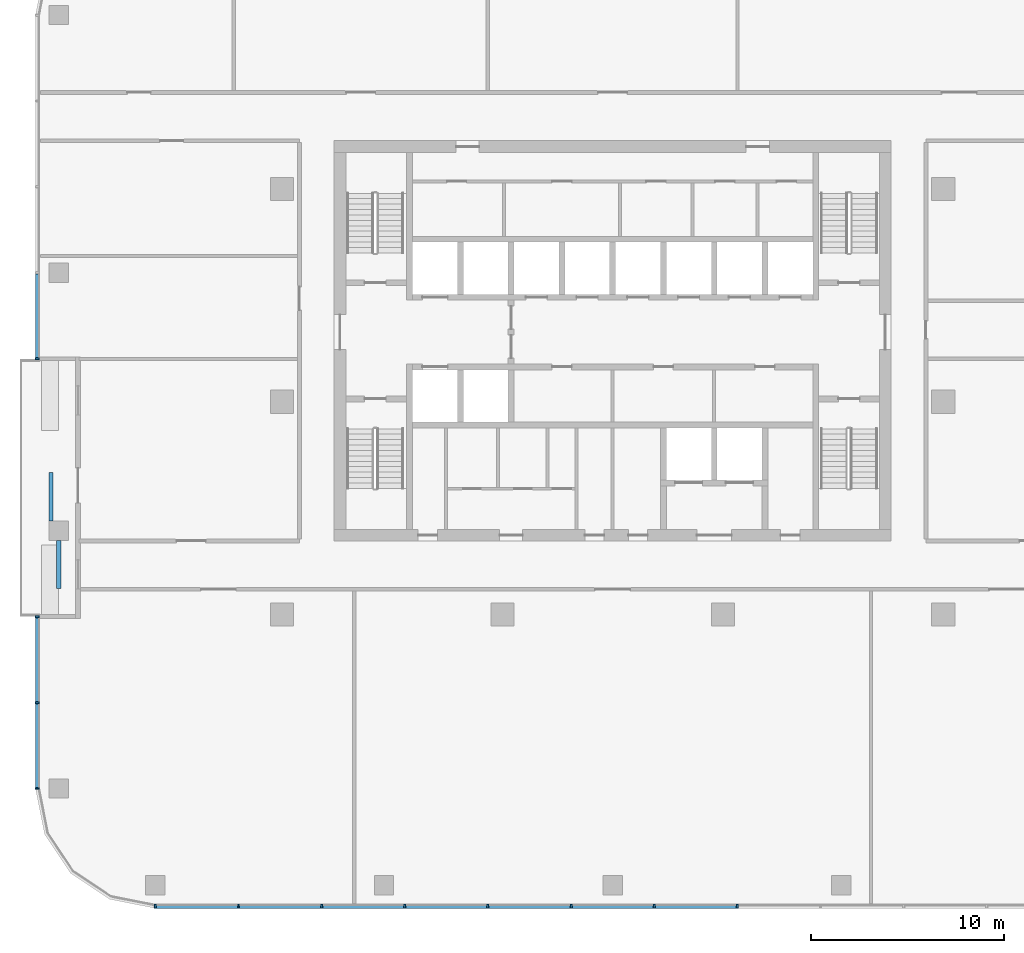
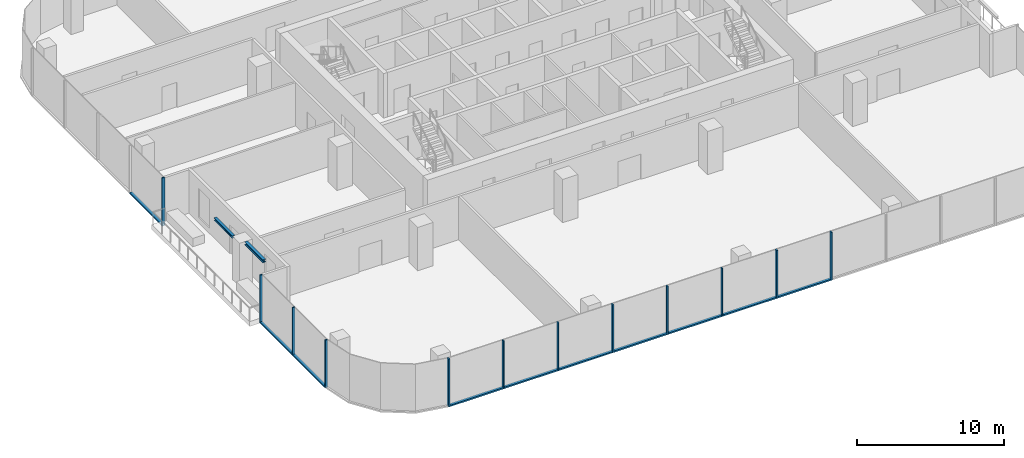
# One storey, part 2 of 13: 22 members, 2 beams, 3 elements without a shape of their own.
"""IFC4 building model written with IfcOpenShell, lengths in metres."""

from ifc_helpers import new_model, si_unit, direction, frame, origin, origin_2d, place, context, subcontext, project, spatial, rectangle, i_section, extrude, material, material_profile, profile_set, type_object, element, aggregate, save


model = new_model("IFC4")

# Units and contexts
model_context = context("Model", 3, precision=1e-05, world=origin(), true_north=direction((0.0, 1.0)))
body_context = subcontext(model_context, "Body", "Model", "MODEL_VIEW")
ifc_project = project(units=[si_unit("LENGTHUNIT", "METRE"), si_unit("AREAUNIT", "SQUARE_METRE"), si_unit("VOLUMEUNIT", "CUBIC_METRE"), si_unit("PLANEANGLEUNIT", "RADIAN"), si_unit("MASSUNIT", "GRAM", prefix="KILO")], contexts=[model_context])

# Site, building, storey
site_placement = place(None, origin())
site = spatial("IfcSite", under=ifc_project, at=site_placement, CompositionType="ELEMENT")
building_placement = place(site_placement, origin())
building = spatial("IfcBuilding", under=site, at=building_placement, Name="Mopane Tessera Tower", CompositionType="ELEMENT")
storey_placement = place(building_placement, frame((0.0, 0.0, 271.39990234375)))
storey = spatial("IfcBuildingStorey", under=building, at=storey_placement, Name="L58", CompositionType="ELEMENT", Elevation=271.39990234375)

# Curtain wall, members
ifc_material_1 = material(Name="Aluminium frame", Category="aluminium")
curtain_wall_type = type_object("IfcCurtainWallType", Name="Unitised curtain wall", PredefinedType="NOTDEFINED", material=ifc_material_1)
curtain_wall_1_placement = place(storey_placement, origin())
curtain_wall_1 = element("IfcCurtainWall", 1, at=curtain_wall_1_placement, inside=storey, type_object=curtain_wall_type, Name="e:cw:L58:S:0", PredefinedType="NOTDEFINED")
ifc_material_2 = material(Name="Aluminium frame", Category="aluminium")
ifc_material_profile_1 = material_profile(ifc_material_2, rectangle(XDim=0.10009765625, YDim=0.199951171875, at=origin_2d()))
ifc_profile_set_1 = profile_set([ifc_material_profile_1], Name="Aluminium frame")
member_type_1 = type_object("IfcMemberType", Name="Aluminium mullion 100 x 200", PredefinedType="MULLION", material=ifc_profile_set_1)
member_1_placement = place(storey_placement, frame((-23.64990234375, -26.10009765625, -0.39990234375), z_axis=(0.0, 0.0, 1.0), x_axis=(1.0, 0.0, 0.0)))
member_1 = element("IfcMember", 2, at=member_1_placement, type_object=member_type_1, Name="e:cw:L58:S:0:mu0", PredefinedType="MULLION", context=body_context, shape_type="SweptSolid", body=[
    extrude(rectangle(XDim=0.10009765625, YDim=0.199951171875, at=origin_2d()), origin(), (0.0, 0.0, 1.0), 4.0),
])
member_2_placement = place(storey_placement, frame((-19.35009765625, -26.10009765625, -0.39990234375), z_axis=(0.0, 0.0, 1.0), x_axis=(1.0, 0.0, 0.0)))
member_2 = element("IfcMember", 3, at=member_2_placement, type_object=member_type_1, Name="e:cw:L58:S:0:mu1", PredefinedType="MULLION", context=body_context, shape_type="SweptSolid", body=[
    extrude(rectangle(XDim=0.10009765625, YDim=0.199951171875, at=origin_2d()), origin(), (0.0, 0.0, 1.0), 4.0),
])
member_3_placement = place(storey_placement, frame((-15.050048828125, -26.10009765625, -0.39990234375), z_axis=(0.0, 0.0, 1.0), x_axis=(1.0, 0.0, 0.0)))
member_3 = element("IfcMember", 4, at=member_3_placement, type_object=member_type_1, Name="e:cw:L58:S:0:mu2", PredefinedType="MULLION", context=body_context, shape_type="SweptSolid", body=[
    extrude(rectangle(XDim=0.10009765625, YDim=0.199951171875, at=origin_2d()), origin(), (0.0, 0.0, 1.0), 4.0),
])
member_4_placement = place(storey_placement, frame((-10.75, -26.10009765625, -0.39990234375), z_axis=(0.0, 0.0, 1.0), x_axis=(1.0, 0.0, 0.0)))
member_4 = element("IfcMember", 5, at=member_4_placement, type_object=member_type_1, Name="e:cw:L58:S:0:mu3", PredefinedType="MULLION", context=body_context, shape_type="SweptSolid", body=[
    extrude(rectangle(XDim=0.10009765625, YDim=0.199951171875, at=origin_2d()), origin(), (0.0, 0.0, 1.0), 4.0),
])
member_5_placement = place(storey_placement, frame((-6.449951171875, -26.10009765625, -0.39990234375), z_axis=(0.0, 0.0, 1.0), x_axis=(1.0, 0.0, 0.0)))
member_5 = element("IfcMember", 6, at=member_5_placement, type_object=member_type_1, Name="e:cw:L58:S:0:mu4", PredefinedType="MULLION", context=body_context, shape_type="SweptSolid", body=[
    extrude(rectangle(XDim=0.10009765625, YDim=0.199951171875, at=origin_2d()), origin(), (0.0, 0.0, 1.0), 4.0),
])
member_6_placement = place(storey_placement, frame((-2.14990234375, -26.10009765625, -0.39990234375), z_axis=(0.0, 0.0, 1.0), x_axis=(1.0, 0.0, 0.0)))
member_6 = element("IfcMember", 7, at=member_6_placement, type_object=member_type_1, Name="e:cw:L58:S:0:mu5", PredefinedType="MULLION", context=body_context, shape_type="SweptSolid", body=[
    extrude(rectangle(XDim=0.10009765625, YDim=0.199951171875, at=origin_2d()), origin(), (0.0, 0.0, 1.0), 4.0),
])
member_7_placement = place(storey_placement, frame((2.14990234375, -26.10009765625, -0.39990234375), z_axis=(0.0, 0.0, 1.0), x_axis=(1.0, 0.0, 0.0)))
member_7 = element("IfcMember", 8, at=member_7_placement, type_object=member_type_1, Name="e:cw:L58:S:0:mu6", PredefinedType="MULLION", context=body_context, shape_type="SweptSolid", body=[
    extrude(rectangle(XDim=0.10009765625, YDim=0.199951171875, at=origin_2d()), origin(), (0.0, 0.0, 1.0), 4.0),
])
member_8_placement = place(storey_placement, frame((6.449951171875, -26.10009765625, -0.39990234375), z_axis=(0.0, 0.0, 1.0), x_axis=(1.0, 0.0, 0.0)))
member_8 = element("IfcMember", 9, at=member_8_placement, type_object=member_type_1, Name="e:cw:L58:S:0:mu7", PredefinedType="MULLION", context=body_context, shape_type="SweptSolid", body=[
    extrude(rectangle(XDim=0.10009765625, YDim=0.199951171875, at=origin_2d()), origin(), (0.0, 0.0, 1.0), 4.0),
])

# Curtain wall, member
curtain_wall_2_placement = place(storey_placement, origin())
curtain_wall_2 = element("IfcCurtainWall", 10, at=curtain_wall_2_placement, inside=storey, type_object=curtain_wall_type, Name="e:cw:L58:W:0", PredefinedType="NOTDEFINED")
member_9_placement = place(storey_placement, frame((-29.75, 2.22216796875, -0.39990234375), z_axis=(0.0, 0.0, 1.0), x_axis=(0.0, -1.0, 0.0)))
member_9 = element("IfcMember", 11, at=member_9_placement, type_object=member_type_1, Name="e:cw:L58:W:0:mu4", PredefinedType="MULLION", context=body_context, shape_type="SweptSolid", body=[
    extrude(rectangle(XDim=0.10009765625, YDim=0.199951171875, at=origin_2d()), origin(), (0.0, 0.0, 1.0), 4.0),
])

# Curtain wall, members
curtain_wall_3_placement = place(storey_placement, origin())
curtain_wall_3 = element("IfcCurtainWall", 12, at=curtain_wall_3_placement, inside=storey, type_object=curtain_wall_type, Name="e:cw:L58:W:7", PredefinedType="NOTDEFINED")
member_10_placement = place(storey_placement, frame((-29.75, -11.111083984375, -0.39990234375), z_axis=(0.0, 0.0, 1.0), x_axis=(0.0, -1.0, 0.0)))
member_10 = element("IfcMember", 13, at=member_10_placement, type_object=member_type_1, Name="e:cw:L58:W:7:mu7", PredefinedType="MULLION", context=body_context, shape_type="SweptSolid", body=[
    extrude(rectangle(XDim=0.10009765625, YDim=0.199951171875, at=origin_2d()), origin(), (0.0, 0.0, 1.0), 4.0),
])
member_11_placement = place(storey_placement, frame((-29.75, -15.5556640625, -0.39990234375), z_axis=(0.0, 0.0, 1.0), x_axis=(0.0, -1.0, 0.0)))
member_11 = element("IfcMember", 14, at=member_11_placement, type_object=member_type_1, Name="e:cw:L58:W:7:mu8", PredefinedType="MULLION", context=body_context, shape_type="SweptSolid", body=[
    extrude(rectangle(XDim=0.10009765625, YDim=0.199951171875, at=origin_2d()), origin(), (0.0, 0.0, 1.0), 4.0),
])
member_12_placement = place(storey_placement, frame((-29.75, -20.0, -0.39990234375), z_axis=(0.0, 0.0, 1.0), x_axis=(0.0, -1.0, 0.0)))
member_12 = element("IfcMember", 15, at=member_12_placement, type_object=member_type_1, Name="e:cw:L58:W:7:mu9", PredefinedType="MULLION", context=body_context, shape_type="SweptSolid", body=[
    extrude(rectangle(XDim=0.10009765625, YDim=0.199951171875, at=origin_2d()), origin(), (0.0, 0.0, 1.0), 4.0),
])

# Member
ifc_material_3 = material(Name="Aluminium frame", Category="aluminium")
ifc_material_profile_2 = material_profile(ifc_material_3, rectangle(XDim=0.199951171875, YDim=0.1201171875, at=origin_2d()))
ifc_profile_set_2 = profile_set([ifc_material_profile_2], Name="Aluminium frame")
member_type_2 = type_object("IfcMemberType", Name="Aluminium transom 200 x 120", PredefinedType="USERDEFINED", material=ifc_profile_set_2)
member_13_placement = place(storey_placement, frame((-23.60009765625, -26.10009765625, -0.33984375), z_axis=(1.0, 0.0, 0.0), x_axis=(0.0, 1.0, 0.0)))
member_13 = element("IfcMember", 16, at=member_13_placement, type_object=member_type_2, Name="e:cw:L58:S:0:tr0", ObjectType="TRANSOM", PredefinedType="USERDEFINED", context=body_context, shape_type="SweptSolid", body=[
    extrude(rectangle(XDim=0.199951171875, YDim=0.1201171875, at=origin_2d()), origin(), (0.0, 0.0, 1.0), 4.2001953125),
])

member_14_placement = place(storey_placement, frame((-19.300048828125, -26.10009765625, -0.33984375), z_axis=(1.0, 0.0, 0.0), x_axis=(0.0, 1.0, 0.0)))
member_14 = element("IfcMember", 17, at=member_14_placement, type_object=member_type_2, Name="e:cw:L58:S:0:tr1", ObjectType="TRANSOM", PredefinedType="USERDEFINED", context=body_context, shape_type="SweptSolid", body=[
    extrude(rectangle(XDim=0.199951171875, YDim=0.1201171875, at=origin_2d()), origin(), (0.0, 0.0, 1.0), 4.199951171875),
])

member_15_placement = place(storey_placement, frame((-15.0, -26.10009765625, -0.33984375), z_axis=(1.0, 0.0, 0.0), x_axis=(0.0, 1.0, 0.0)))
member_15 = element("IfcMember", 18, at=member_15_placement, type_object=member_type_2, Name="e:cw:L58:S:0:tr2", ObjectType="TRANSOM", PredefinedType="USERDEFINED", context=body_context, shape_type="SweptSolid", body=[
    extrude(rectangle(XDim=0.199951171875, YDim=0.1201171875, at=origin_2d()), origin(), (0.0, 0.0, 1.0), 4.199951171875),
])

member_16_placement = place(storey_placement, frame((-10.699951171875, -26.10009765625, -0.33984375), z_axis=(1.0, 0.0, 0.0), x_axis=(0.0, 1.0, 0.0)))
member_16 = element("IfcMember", 19, at=member_16_placement, type_object=member_type_2, Name="e:cw:L58:S:0:tr3", ObjectType="TRANSOM", PredefinedType="USERDEFINED", context=body_context, shape_type="SweptSolid", body=[
    extrude(rectangle(XDim=0.199951171875, YDim=0.1201171875, at=origin_2d()), origin(), (0.0, 0.0, 1.0), 4.199951171875),
])

member_17_placement = place(storey_placement, frame((-6.39990234375, -26.10009765625, -0.33984375), z_axis=(1.0, 0.0, 0.0), x_axis=(0.0, 1.0, 0.0)))
member_17 = element("IfcMember", 20, at=member_17_placement, type_object=member_type_2, Name="e:cw:L58:S:0:tr4", ObjectType="TRANSOM", PredefinedType="USERDEFINED", context=body_context, shape_type="SweptSolid", body=[
    extrude(rectangle(XDim=0.199951171875, YDim=0.1201171875, at=origin_2d()), origin(), (0.0, 0.0, 1.0), 4.199951171875),
])

member_18_placement = place(storey_placement, frame((-2.10009765625, -26.10009765625, -0.33984375), z_axis=(1.0, 0.0, 0.0), x_axis=(0.0, 1.0, 0.0)))
member_18 = element("IfcMember", 21, at=member_18_placement, type_object=member_type_2, Name="e:cw:L58:S:0:tr5", ObjectType="TRANSOM", PredefinedType="USERDEFINED", context=body_context, shape_type="SweptSolid", body=[
    extrude(rectangle(XDim=0.199951171875, YDim=0.1201171875, at=origin_2d()), origin(), (0.0, 0.0, 1.0), 4.2001953125),
])

member_19_placement = place(storey_placement, frame((2.199951171875, -26.10009765625, -0.33984375), z_axis=(1.0, 0.0, 0.0), x_axis=(0.0, 1.0, 0.0)))
member_19 = element("IfcMember", 22, at=member_19_placement, type_object=member_type_2, Name="e:cw:L58:S:0:tr6", ObjectType="TRANSOM", PredefinedType="USERDEFINED", context=body_context, shape_type="SweptSolid", body=[
    extrude(rectangle(XDim=0.199951171875, YDim=0.1201171875, at=origin_2d()), origin(), (0.0, 0.0, 1.0), 4.199951171875),
])

aggregate(curtain_wall_1, [member_1, member_2, member_3, member_4, member_5, member_6, member_7, member_8, member_13, member_14, member_15, member_16, member_17, member_18, member_19])

member_20_placement = place(storey_placement, frame((-29.75, 6.61669921875, -0.33984375), z_axis=(0.0, -1.0, 0.0), x_axis=(1.0, 0.0, 0.0)))
member_20 = element("IfcMember", 23, at=member_20_placement, type_object=member_type_2, Name="e:cw:L58:W:0:tr3", ObjectType="TRANSOM", PredefinedType="USERDEFINED", context=body_context, shape_type="SweptSolid", body=[
    extrude(rectangle(XDim=0.199951171875, YDim=0.1201171875, at=origin_2d()), origin(), (0.0, 0.0, 1.0), 4.344482421875),
])

aggregate(curtain_wall_2, [member_9, member_20])

member_21_placement = place(storey_placement, frame((-29.75, -11.1611328125, -0.33984375), z_axis=(0.0, -1.0, 0.0), x_axis=(1.0, 0.0, 0.0)))
member_21 = element("IfcMember", 24, at=member_21_placement, type_object=member_type_2, Name="e:cw:L58:W:7:tr7", ObjectType="TRANSOM", PredefinedType="USERDEFINED", context=body_context, shape_type="SweptSolid", body=[
    extrude(rectangle(XDim=0.199951171875, YDim=0.1201171875, at=origin_2d()), origin(), (0.0, 0.0, 1.0), 4.344482421875),
])

member_22_placement = place(storey_placement, frame((-29.75, -15.60546875, -0.33984375), z_axis=(0.0, -1.0, 0.0), x_axis=(1.0, 0.0, 0.0)))
member_22 = element("IfcMember", 25, at=member_22_placement, type_object=member_type_2, Name="e:cw:L58:W:7:tr8", ObjectType="TRANSOM", PredefinedType="USERDEFINED", context=body_context, shape_type="SweptSolid", body=[
    extrude(rectangle(XDim=0.199951171875, YDim=0.1201171875, at=origin_2d()), origin(), (0.0, 0.0, 1.0), 4.344482421875),
])

aggregate(curtain_wall_3, [member_10, member_11, member_12, member_21, member_22])

# Beams
ifc_material_4 = material(Name="Structural steel S460", Category="steel")
ifc_material_profile_3 = material_profile(ifc_material_4, i_section(OverallWidth=0.239990234375, OverallDepth=0.239990234375, WebThickness=0.010009765625, FlangeThickness=0.01708984375, FilletRadius=0.02099609375, at=origin_2d()))
ifc_profile_set_3 = profile_set([ifc_material_profile_3], Name="Structural steel S460")
beam_type_1 = type_object("IfcBeamType", Name="Terrace spandrel beam HE 240 B", PredefinedType="SPANDREL", material=ifc_profile_set_3)
beam_1_placement = place(storey_placement, frame((-28.64990234375, -7.169677734375, 3.47998046875), z_axis=(0.0, -1.0, 0.0), x_axis=(1.0, 0.0, 0.0)))
element("IfcBeam", 26, at=beam_1_placement, inside=storey, type_object=beam_type_1, Name="Terrace spandrel beam N3 L59", PredefinedType="SPANDREL", context=body_context, shape_type="SweptSolid", body=[
    extrude(i_section(OverallWidth=0.239990234375, OverallDepth=0.239990234375, WebThickness=0.010009765625, FlangeThickness=0.01708984375, FilletRadius=0.02099609375, at=origin_2d()), origin(), (0.0, 0.0, 1.0), 2.5),
])
ifc_material_5 = material(Name="Structural steel S460", Category="steel")
ifc_material_profile_4 = material_profile(ifc_material_5, i_section(OverallWidth=0.199951171875, OverallDepth=0.199951171875, WebThickness=0.009033203125, FlangeThickness=0.014892578125, FilletRadius=0.01806640625, at=origin_2d()))
ifc_profile_set_4 = profile_set([ifc_material_profile_4], Name="Structural steel S460")
beam_type_2 = type_object("IfcBeamType", Name="Terrace trimmer beam HE 200 B", PredefinedType="BEAM", material=ifc_profile_set_4)
beam_2_placement = place(storey_placement, frame((-29.0498046875, -6.163818359375, 3.5), z_axis=(0.0, 1.0, 0.0), x_axis=(-1.0, 0.0, 0.0)))
element("IfcBeam", 27, at=beam_2_placement, inside=storey, type_object=beam_type_2, Name="Terrace trimmer beam N3 L59", PredefinedType="BEAM", context=body_context, shape_type="SweptSolid", body=[
    extrude(i_section(OverallWidth=0.199951171875, OverallDepth=0.199951171875, WebThickness=0.009033203125, FlangeThickness=0.014892578125, FilletRadius=0.01806640625, at=origin_2d()), origin(), (0.0, 0.0, 1.0), 2.5),
])

save(model, "model.ifc")
